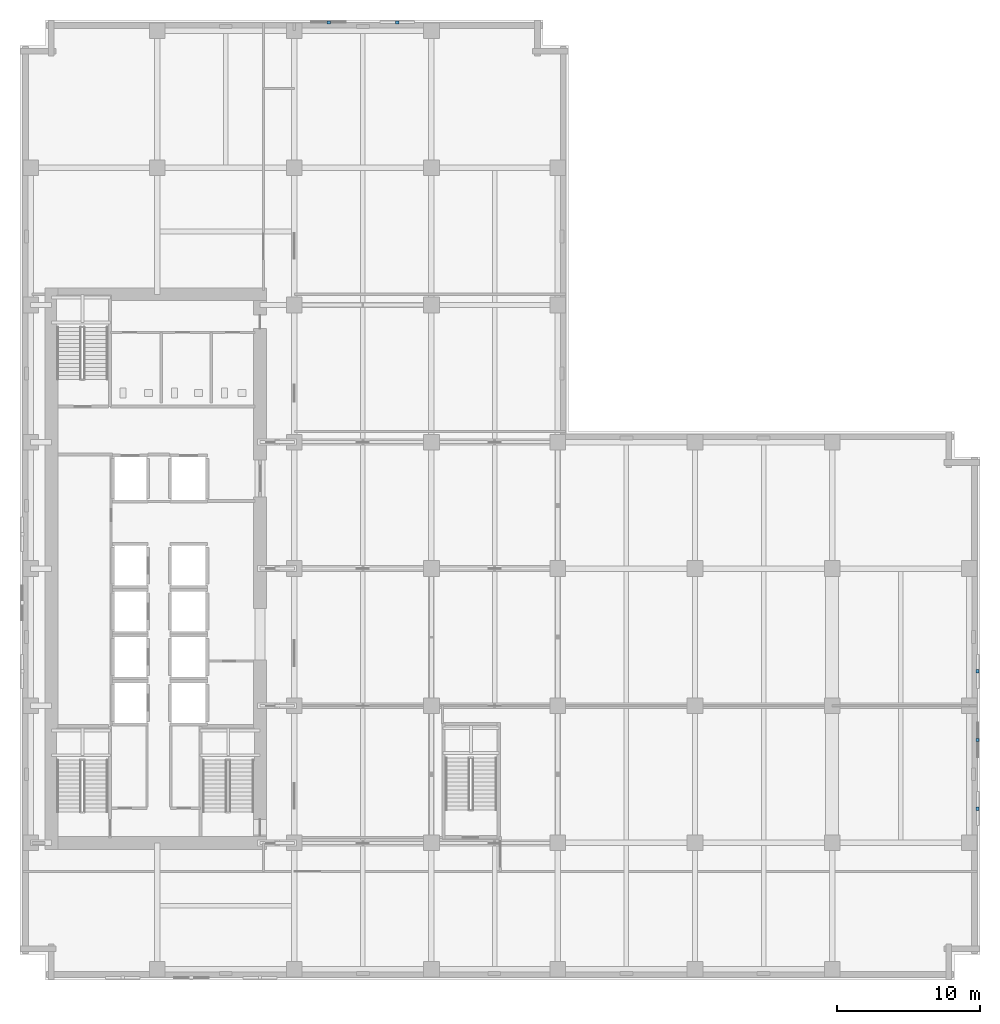
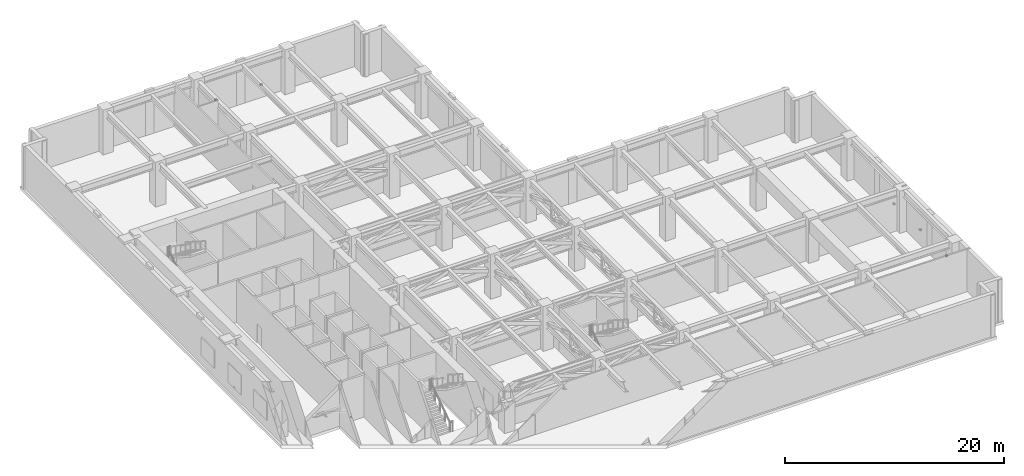
# One storey, part 18 of 22: 5 discrete accessories.
"""IFC4 building model written with IfcOpenShell, lengths in metres."""

from ifc_helpers import new_model, si_unit, direction, frame, origin, origin_2d, place, context, subcontext, project, spatial, rectangle, extrude, material, type_object, element, save


model = new_model("IFC4")

# Units and contexts
model_context = context("Model", 3, precision=1e-05, world=origin(), true_north=direction((0.0, 1.0)))
body_context = subcontext(model_context, "Body", "Model", "MODEL_VIEW")
ifc_project = project(units=[si_unit("LENGTHUNIT", "METRE"), si_unit("AREAUNIT", "SQUARE_METRE"), si_unit("VOLUMEUNIT", "CUBIC_METRE"), si_unit("PLANEANGLEUNIT", "RADIAN"), si_unit("MASSUNIT", "GRAM", prefix="KILO")], contexts=[model_context])

# Site, building, storey
site_placement = place(None, origin())
site = spatial("IfcSite", under=ifc_project, at=site_placement, CompositionType="ELEMENT")
building_placement = place(site_placement, origin())
building = spatial("IfcBuilding", under=site, at=building_placement, Name="Norrvale University Quadrangle", CompositionType="ELEMENT")
storey_placement = place(building_placement, frame((0.0, 0.0, 96.39990234375)))
storey = spatial("IfcBuildingStorey", under=building, at=storey_placement, Name="L24", CompositionType="ELEMENT", Elevation=96.39990234375)

# Discrete accessories
ifc_material = material(Name="Stainless Steel 316L", Category="steel")
discrete_accessory_type = type_object("IfcDiscreteAccessoryType", Name="Accessory Stainless Bracket", PredefinedType="BRACKET", material=ifc_material)
for number, where, z_axis, x_axis, name in (
    (1, (67.02001953125, 12.0, 1.06005859375), (0.0, 0.0, 1.0), (0.0, 1.0, 0.0), "Stainless Facade Shelf Bracket 004"),
    (2, (67.02001953125, 16.800048828125, 1.06005859375), (0.0, 0.0, 1.0), (0.0, 1.0, 0.0), "Stainless Facade Shelf Bracket 005"),
    (3, (67.02001953125, 21.60009765625, 1.06005859375), (0.0, 0.0, 1.0), (0.0, 1.0, 0.0), "Stainless Facade Shelf Bracket 006"),
    (4, (26.39990234375, 67.02001953125, 1.06005859375), (0.0, 0.0, 1.0), (-1.0, 0.0, 0.0), "Stainless Facade Shelf Bracket 007"),
    (5, (21.60009765625, 67.02001953125, 1.06005859375), (0.0, 0.0, 1.0), (-1.0, 0.0, 0.0), "Stainless Facade Shelf Bracket 008"),
):
    element("IfcDiscreteAccessory", number, at=place(storey_placement, frame(where, z_axis=z_axis, x_axis=x_axis)), inside=storey, type_object=discrete_accessory_type, Name=name, PredefinedType="BRACKET", context=body_context, shape_type="SweptSolid", body=[
        extrude(rectangle(XDim=0.239990234375, YDim=0.199951171875, at=origin_2d()), origin(), (0.0, 0.0, 1.0), 0.179931640625),
    ])

save(model, "model.ifc")
